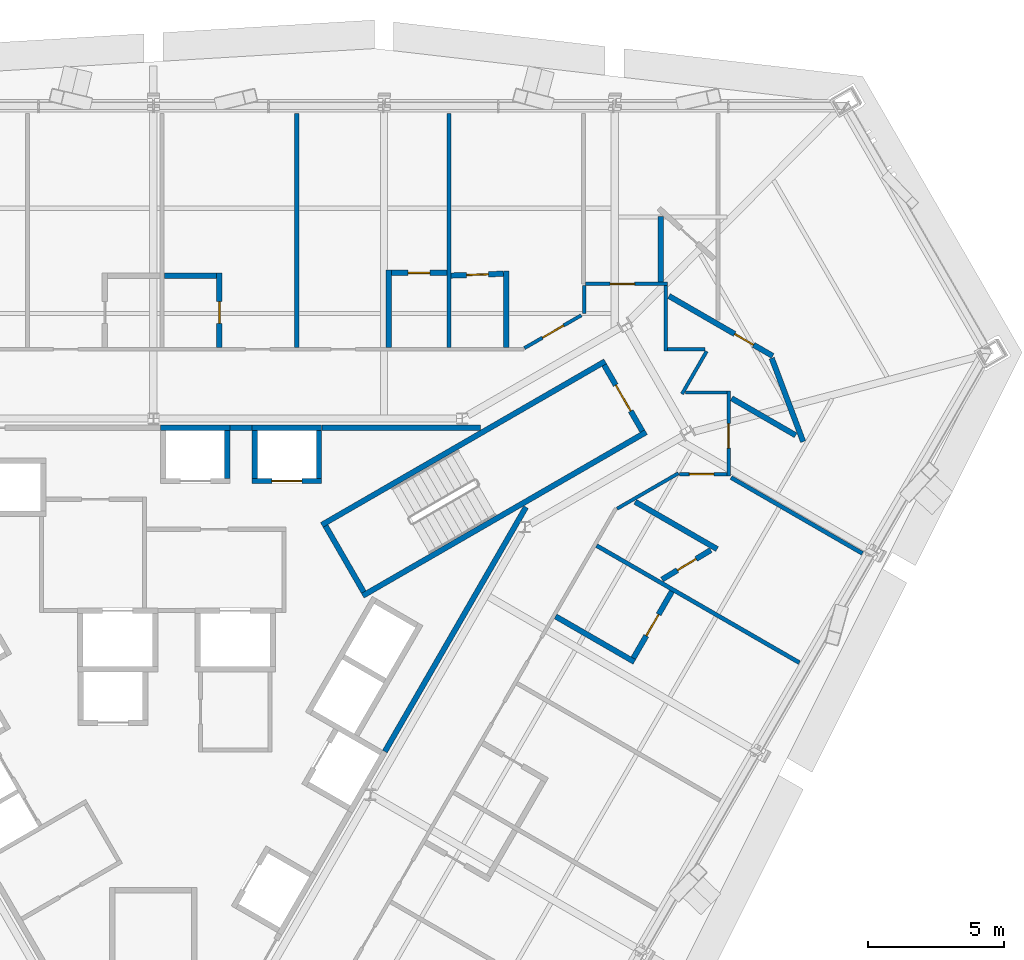
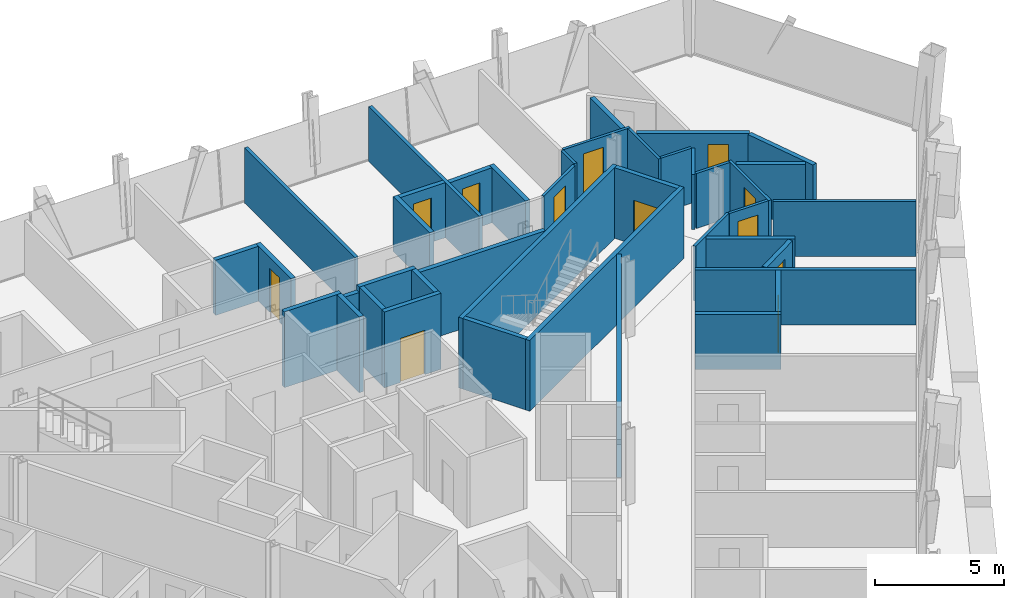
# One storey, part 12 of 15: 41 walls, 12 doors, 12 openings.
"""IFC4 building model written with IfcOpenShell, lengths in metres."""

import ifcopenshell
import ifcopenshell.guid

model = None  # the IFC model being written
_history = None  # IfcOwnerHistory: only IFC2X3 demands one
_inside = {}  # id of a spatial element -> (the spatial element, [elements in it])
_under = {}  # id of a project, library or spatial element -> (it, [spatial elements below it])
_declared = {}  # id of a project -> (the project, [libraries it declares])
_typed = {}  # id of a type object -> (the type object, [elements of that type])
_made_of = {}  # id of a material, layer set ... -> (it, [elements and type objects made of it])


def new_model(schema):
    """Start an empty IFC model of exactly this schema.

    Asked for "IFC4X3", IfcOpenShell would pick the latest addendum, in which some entities
    have other attributes; the version numbers below select the first issue.
    IFC2X3 requires an IfcOwnerHistory on every rooted entity: one is made here for all.
    """
    global model, _history
    if schema == "IFC4X3":
        model = ifcopenshell.file(schema_version=(4, 3, 0, 0))
    else:
        model = ifcopenshell.file(schema=schema)
    _inside.clear()
    _under.clear()
    _declared.clear()
    _typed.clear()
    _made_of.clear()
    _history = None
    if model.schema == "IFC2X3":
        org = make("IfcOrganization", Name="unknown")
        user = make(
            "IfcPersonAndOrganization",
            ThePerson=make("IfcPerson", FamilyName="unknown"),
            TheOrganization=org,
        )
        app = make(
            "IfcApplication",
            ApplicationDeveloper=org,
            Version="unknown",
            ApplicationFullName="unknown",
            ApplicationIdentifier="unknown",
        )
        _history = make(
            "IfcOwnerHistory",
            OwningUser=user,
            OwningApplication=app,
            ChangeAction="ADDED",
            CreationDate=0,
        )
    return model


def make(cls, **values):
    """One entity of the class cls with the attributes given. An attribute that is None is left unset."""
    return model.create_entity(
        cls, **{name: value for name, value in values.items() if value is not None}
    )


def rooted(cls, **values):
    """An entity with a GlobalId (a new one), such as an element, a storey or a relation."""
    return make(cls, GlobalId=ifcopenshell.guid.new(), OwnerHistory=_history, **values)


def si_unit(unit_type, name, prefix=None):
    """IfcSIUnit, for example si_unit("LENGTHUNIT", "METRE", prefix="MILLI")."""
    return make("IfcSIUnit", UnitType=unit_type, Prefix=prefix, Name=name)


def assignment(units):
    """IfcUnitAssignment: the units of a project."""
    return None if units is None else make("IfcUnitAssignment", Units=units)


def point(xyz):
    """IfcCartesianPoint."""
    return None if xyz is None else make("IfcCartesianPoint", Coordinates=xyz)


def direction(xyz):
    """IfcDirection."""
    return None if xyz is None else make("IfcDirection", DirectionRatios=xyz)


def frame(location, z_axis=None, x_axis=None):
    """IfcAxis2Placement3D, a coordinate frame: its origin and axes. An axis left out is left unset."""
    return make(
        "IfcAxis2Placement3D",
        Location=point(location),
        Axis=direction(z_axis),
        RefDirection=direction(x_axis),
    )


def frame_2d(location, x_axis=None):
    """IfcAxis2Placement2D, a coordinate frame in the plane: its origin and x axis."""
    return make(
        "IfcAxis2Placement2D", Location=point(location), RefDirection=direction(x_axis)
    )


def origin():
    """The frame at (0, 0, 0) with its axes left unset."""
    return frame((0.0, 0.0, 0.0))


def place(relative_to, where):
    """IfcLocalPlacement: puts the frame where relative to a parent placement (None: the world)."""
    return make(
        "IfcLocalPlacement", PlacementRelTo=relative_to, RelativePlacement=where
    )


def context(
    kind, dimensions, precision=None, world=None, true_north=None, identifier=None
):
    """IfcGeometricRepresentationContext, for example the 3D "Model" context."""
    return make(
        "IfcGeometricRepresentationContext",
        ContextIdentifier=identifier,
        ContextType=kind,
        CoordinateSpaceDimension=dimensions,
        Precision=precision,
        WorldCoordinateSystem=world,
        TrueNorth=true_north,
    )


def subcontext(parent, identifier, kind, view, scale=None):
    """IfcGeometricRepresentationSubContext, for example "Body" below "Model"."""
    return make(
        "IfcGeometricRepresentationSubContext",
        ContextIdentifier=identifier,
        ContextType=kind,
        ParentContext=parent,
        TargetScale=scale,
        TargetView=view,
    )


def project(units=None, contexts=None):
    """IfcProject with its units and contexts."""
    return rooted(
        "IfcProject",
        Name="project",
        RepresentationContexts=contexts,
        UnitsInContext=assignment(units),
    )


def spatial(cls, under=None, at=None, **own):
    """A site, building, storey or space (cls), placed at a placement, below another one or the project."""
    s = rooted(cls, ObjectPlacement=at, **own)
    if under is not None:
        _under.setdefault(under.id(), (under, []))[1].append(s)
    return s


def profile(cls, at=None, kind="AREA", **sizes):
    """A parametric profile (cls). Its sizes go by their IFC names, for example OverallWidth=200.0."""
    return make(cls, ProfileType=kind, Position=at, **sizes)


def rectangle(**sizes):
    """IfcRectangleProfileDef."""
    return profile("IfcRectangleProfileDef", **sizes)


def extrude(swept, where, along, depth):
    """IfcExtrudedAreaSolid: the profile swept, set in the frame where, extruded along a direction by depth."""
    return make(
        "IfcExtrudedAreaSolid",
        SweptArea=swept,
        Position=where,
        ExtrudedDirection=direction(along),
        Depth=depth,
    )


def shape(context_of_items, identifier, shape_type, items):
    """IfcShapeRepresentation: the items that make up one representation, for example the "Body"."""
    return make(
        "IfcShapeRepresentation",
        ContextOfItems=context_of_items,
        RepresentationIdentifier=identifier,
        RepresentationType=shape_type,
        Items=items,
    )


def material(Name=None, Category=None):
    """IfcMaterial."""
    return make("IfcMaterial", Name=Name, Category=Category)


def layer(
    of_material, thickness, ventilated=None, Name=None, Category=None, Priority=None
):
    """IfcMaterialLayer: one layer of a wall or slab, of a material (None: an air gap)."""
    return make(
        "IfcMaterialLayer",
        Material=of_material,
        LayerThickness=thickness,
        IsVentilated=ventilated,
        Name=Name,
        Category=Category,
        Priority=Priority,
    )


def layer_set(layers, Name=None):
    """IfcMaterialLayerSet."""
    return make("IfcMaterialLayerSet", MaterialLayers=layers, LayerSetName=Name)


def made_of(thing, what):
    """Note that an element or type object is made of a material, layer set ...; save() writes the relation."""
    if what is not None:
        _made_of.setdefault(what.id(), (what, []))[1].append(thing)
    return thing


def type_object(cls, material=None, **own):
    """A type object (cls), such as IfcWallType, which elements share."""
    return made_of(rooted(cls, **own), material)


def element(
    cls,
    number,
    at=None,
    inside=None,
    cuts=None,
    type_object=None,
    material=None,
    context=None,
    identifier="Body",
    shape_type=None,
    held_by="IfcProductDefinitionShape",
    body=None,
    shapes=None,
    **own,
):
    """One element of the class cls, such as IfcWall. Its Tag is "e" and its number.

    at: its placement. inside: the storey or other place that contains it. cuts: it is an
    opening in that element (IfcRelVoidsElement). A single representation is given by context,
    identifier, shape_type and body (its items); several are given by shapes. held_by: the class
    of the entity that holds the representations. save() writes the other relations.
    """
    e = rooted(cls, Tag="e%d" % number, ObjectPlacement=at, **own)
    if body is not None:
        shapes = [shape(context, identifier, shape_type, body)]
    if shapes is not None:
        e.Representation = make(held_by, Representations=shapes)
    if inside is not None:
        _inside.setdefault(inside.id(), (inside, []))[1].append(e)
    if cuts is not None:
        rooted(
            "IfcRelVoidsElement", RelatingBuildingElement=cuts, RelatedOpeningElement=e
        )
    if type_object is not None:
        _typed.setdefault(type_object.id(), (type_object, []))[1].append(e)
    return made_of(e, material)


def fill(opening, filler):
    """IfcRelFillsElement: the door or window that sits in an opening."""
    return rooted(
        "IfcRelFillsElement",
        RelatingOpeningElement=opening,
        RelatedBuildingElement=filler,
    )


def aggregate(whole, parts):
    """IfcRelAggregates: a whole, such as a stair, and the parts it consists of."""
    return rooted("IfcRelAggregates", RelatingObject=whole, RelatedObjects=parts)


def save(model, path):
    """Write the relations noted so far, then the file.

    IfcRelAggregates (storeys below a building ...), IfcRelContainedInSpatialStructure (elements
    in a storey), IfcRelDefinesByType, IfcRelAssociatesMaterial and IfcRelDeclares: one each for
    every whole, place, type object, material and project.
    """
    for whole, parts in _under.values():
        aggregate(whole, parts)
    for where, things in _inside.values():
        rooted(
            "IfcRelContainedInSpatialStructure",
            RelatedElements=things,
            RelatingStructure=where,
        )
    for kind, things in _typed.values():
        rooted("IfcRelDefinesByType", RelatedObjects=things, RelatingType=kind)
    for what, things in _made_of.values():
        rooted("IfcRelAssociatesMaterial", RelatedObjects=things, RelatingMaterial=what)
    for by, libraries in _declared.values():
        rooted("IfcRelDeclares", RelatingContext=by, RelatedDefinitions=libraries)
    model.write(path)


model = new_model("IFC4")

# Units and contexts
model_context = context("Model", 3, precision=1e-05, world=origin(), true_north=direction((0.0, 1.0)))
body_context = subcontext(model_context, "Body", "Model", "MODEL_VIEW")
ifc_project = project(units=[si_unit("LENGTHUNIT", "METRE"), si_unit("AREAUNIT", "SQUARE_METRE"), si_unit("VOLUMEUNIT", "CUBIC_METRE"), si_unit("PLANEANGLEUNIT", "RADIAN"), si_unit("MASSUNIT", "GRAM", prefix="KILO")], contexts=[model_context])

# Site, building, storey
site_placement = place(None, origin())
site = spatial("IfcSite", under=ifc_project, at=site_placement, CompositionType="ELEMENT")
building_placement = place(site_placement, origin())
building = spatial("IfcBuilding", under=site, at=building_placement, Name="Verrane Prism Tower", CompositionType="ELEMENT")
storey_placement = place(building_placement, frame((0.0, 0.0, 44.0)))
storey = spatial("IfcBuildingStorey", under=building, at=storey_placement, Name="L08", CompositionType="ELEMENT", Elevation=44.0)

# Walls
ifc_material_1 = material(Name="Gypsum board partition", Category="other")
ifc_layer_1 = layer(ifc_material_1, 0.199951171875)
ifc_layer_set_1 = layer_set([ifc_layer_1], Name="CW-200 core boundary wall 2 h")
wall_type_1 = type_object("IfcWallType", Name="CW-200 core boundary wall 2 h", PredefinedType="PARTITIONING", material=ifc_layer_set_1)
wall_1_placement = place(storey_placement, frame((2.81689453125, 8.860107421875, 0.0), z_axis=(0.0, 0.0, 1.0), x_axis=(1.0, 0.0, 0.0)))
element("IfcWall", 1, at=wall_1_placement, inside=storey, type_object=wall_type_1, Name="Core boundary wall CW3-011", PredefinedType="PARTITIONING", context=body_context, shape_type="SweptSolid", body=[
    extrude(rectangle(XDim=0.80615234375, YDim=0.199951171875, at=frame_2d((0.403076171875, 0.0))), origin(), (0.0, 0.0, 1.0), 3.35009765625),
])
wall_2_placement = place(storey_placement, frame((6.177001953125, 8.860107421875, 0.0), z_axis=(0.0, 0.0, 1.0), x_axis=(1.0, 0.0, 0.0)))
element("IfcWall", 2, at=wall_2_placement, inside=storey, type_object=wall_type_1, Name="Core boundary wall CW3-013", PredefinedType="PARTITIONING", context=body_context, shape_type="SweptSolid", body=[
    extrude(rectangle(XDim=5.81396484375, YDim=0.199951171875, at=frame_2d((2.906982421875, 0.0))), origin(), (0.0, 0.0, 1.0), 3.35009765625),
])
wall_3_placement = place(storey_placement, frame((8.491943359375, -3.011962890625, 0.0), z_axis=(0.0, 0.0, 1.0), x_axis=(0.499972957231, 0.866041016371, 0.0)))
element("IfcWall", 3, at=wall_3_placement, inside=storey, type_object=wall_type_1, Name="Core boundary wall CW3-014", PredefinedType="PARTITIONING", context=body_context, shape_type="SweptSolid", body=[
    extrude(rectangle(XDim=10.3486328125, YDim=0.199951171875, at=frame_2d((5.17431640625, 0.0))), origin(), (0.0, 0.0, 1.0), 3.35009765625),
])

# Wall, opening, door
ifc_material_2 = material(Name="Concrete C40/50", Category="concrete")
ifc_layer_2 = layer(ifc_material_2, 0.199951171875)
ifc_layer_set_2 = layer_set([ifc_layer_2], Name="CW-200 stair core wall concrete C40/50 3 h")
wall_type_2 = type_object("IfcWallType", Name="CW-200 stair core wall concrete C40/50 3 h", PredefinedType="PARTITIONING", material=ifc_layer_set_2)
wall_4_placement = place(storey_placement, frame((17.933837890625, 8.737548828125, 0.0), z_axis=(0.0, 0.0, 1.0), x_axis=(-0.49998411664, 0.866034573852, 0.0)))
wall_4 = element("IfcWall", 4, at=wall_4_placement, inside=storey, type_object=wall_type_2, Name="Stair 1 enclosure wall", PredefinedType="PARTITIONING", context=body_context, shape_type="SweptSolid", body=[
    extrude(rectangle(XDim=2.7998046875, YDim=0.199951171875, at=frame_2d((1.39990234375, 0.0))), origin(), (0.0, 0.0, 1.0), 3.35009765625),
])
opening_1_placement = place(wall_4_placement, frame((0.849853515625, 0.0, 0.0)))
opening_1 = element("IfcOpeningElement", 5, at=opening_1_placement, cuts=wall_4, Name="Opening D06500", PredefinedType="OPENING", context=body_context, shape_type="SweptSolid", body=[
    extrude(rectangle(XDim=1.10009765625, YDim=2.10009765625, at=frame_2d((0.550048828125, 1.050048828125))), frame((0.0, 0.10986328125, 0.0), z_axis=(0.0, -1.0, 0.0), x_axis=(1.0, 0.0, 0.0)), (0.0, 0.0, 1.0), 0.219970703125),
])
ifc_material_3 = material(Name="Timber veneered door leaf", Category="wood")
door_type_1 = type_object("IfcDoorType", Name="DR-1100x2100 FD90 single leaf stair", OperationType="NOTDEFINED", PredefinedType="DOOR", material=ifc_material_3)
door_1_placement = place(opening_1_placement, origin())
door_1 = element("IfcDoor", 6, at=door_1_placement, inside=storey, type_object=door_type_1, Name="Stair 1 door", OperationType="SINGLE_SWING_LEFT", OverallHeight=2.10009765625, OverallWidth=1.10009765625, PredefinedType="DOOR", context=body_context, shape_type="SweptSolid", body=[
    extrude(rectangle(XDim=1.10009765625, YDim=2.10009765625, at=frame_2d((0.550048828125, 1.050048828125))), frame((0.0, 0.02490234375, 0.0), z_axis=(0.0, -1.0, 0.0), x_axis=(1.0, 0.0, 0.0)), (0.0, 0.0, 1.0), 0.050048828125),
])
fill(opening_1, door_1)

# Walls
for number, where, z_axis, x_axis, name in (
    (7, (6.17822265625, 5.299072265625, 0.0), (0.0, 0.0, 1.0), (0.866026010844, 0.49999894854, 0.0), "Stair 1 enclosure wall"),
    (8, (7.67822265625, 2.700927734375, 0.0), (0.0, 0.0, 1.0), (0.866026010844, 0.49999894854, 0.0), "Stair 1 enclosure wall"),
):
    element("IfcWall", number, at=place(storey_placement, frame(where, z_axis=z_axis, x_axis=x_axis)), inside=storey, type_object=wall_type_2, Name=name, PredefinedType="PARTITIONING", context=body_context, shape_type="SweptSolid", body=[
        extrude(rectangle(XDim=12.0, YDim=0.199951171875, at=frame_2d((6.0, 0.0))), origin(), (0.0, 0.0, 1.0), 3.35009765625),
    ])
wall_5_placement = place(storey_placement, frame((7.71484375, 2.837646484375, 0.0), z_axis=(0.0, 0.0, 1.0), x_axis=(-0.500049511043, 0.865996816683, 0.0)))
element("IfcWall", 9, at=wall_5_placement, inside=storey, type_object=wall_type_2, Name="Stair 1 enclosure wall", PredefinedType="PARTITIONING", context=body_context, shape_type="SweptSolid", body=[
    extrude(rectangle(XDim=2.800048828125, YDim=0.199951171875, at=frame_2d((1.39990234375, 0.0))), origin(), (0.0, 0.0, 1.0), 3.35009765625),
])

# Wall, opening, door
ifc_material_4 = material(Name="Gypsum board shaft wall assembly", Category="other")
ifc_layer_3 = layer(ifc_material_4, 0.199951171875)
ifc_layer_set_3 = layer_set([ifc_layer_3], Name="HW-200 lift shaft wall 2 h")
wall_type_3 = type_object("IfcWallType", Name="HW-200 lift shaft wall 2 h", PredefinedType="PARTITIONING", material=ifc_layer_set_3)
wall_6_placement = place(storey_placement, frame((3.625, 6.909912109375, 0.0), z_axis=(0.0, 0.0, 1.0), x_axis=(1.0, 0.0, 0.0)))
wall_6 = element("IfcWall", 10, at=wall_6_placement, inside=storey, type_object=wall_type_3, Name="Lift shaft wall", PredefinedType="PARTITIONING", context=body_context, shape_type="SweptSolid", body=[
    extrude(rectangle(XDim=2.550048828125, YDim=0.199951171875, at=frame_2d((1.27490234375, 0.0))), origin(), (0.0, 0.0, 1.0), 3.60009765625),
])
opening_2_placement = place(wall_6_placement, frame((0.72509765625, 0.0, 0.0)))
opening_2 = element("IfcOpeningElement", 11, at=opening_2_placement, cuts=wall_6, Name="Opening D06509", PredefinedType="OPENING", context=body_context, shape_type="SweptSolid", body=[
    extrude(rectangle(XDim=1.10009765625, YDim=2.10009765625, at=frame_2d((0.550048828125, 1.050048828125))), frame((0.0, 0.10986328125, 0.0), z_axis=(0.0, -1.0, 0.0), x_axis=(1.0, 0.0, 0.0)), (0.0, 0.0, 1.0), 0.219970703125),
])
ifc_material_5 = material(Name="Stainless steel sliding landing door", Category="steel")
door_type_2 = type_object("IfcDoorType", Name="LD-1100x2100 lift landing door FD90 sliding", OperationType="NOTDEFINED", PredefinedType="DOOR", material=ifc_material_5)
door_2_placement = place(opening_2_placement, origin())
door_2 = element("IfcDoor", 12, at=door_2_placement, inside=storey, type_object=door_type_2, Name="Bank A lift 3 landing door", OperationType="SLIDING_TO_LEFT", OverallHeight=2.10009765625, OverallWidth=1.10009765625, PredefinedType="DOOR", context=body_context, shape_type="SweptSolid", body=[
    extrude(rectangle(XDim=1.10009765625, YDim=2.10009765625, at=frame_2d((0.550048828125, 1.050048828125))), frame((0.0, 0.02490234375, 0.0), z_axis=(0.0, -1.0, 0.0), x_axis=(1.0, 0.0, 0.0)), (0.0, 0.0, 1.0), 0.050048828125),
])
fill(opening_2, door_2)

# Walls
for number, where, z_axis, x_axis, name in (
    (13, (0.264892578125, 8.860107421875, 0.0), (0.0, 0.0, 1.0), (1.0, 0.0, 0.0), "Lift shaft wall"),
    (14, (3.625, 8.860107421875, 0.0), (0.0, 0.0, 1.0), (1.0, 0.0, 0.0), "Lift shaft wall"),
):
    element("IfcWall", number, at=place(storey_placement, frame(where, z_axis=z_axis, x_axis=x_axis)), inside=storey, type_object=wall_type_3, Name=name, PredefinedType="PARTITIONING", context=body_context, shape_type="SweptSolid", body=[
        extrude(rectangle(XDim=2.550048828125, YDim=0.199951171875, at=frame_2d((1.27490234375, 0.0))), origin(), (0.0, 0.0, 1.0), 3.60009765625),
    ])
for number, where, z_axis, x_axis, name in (
    (15, (6.074951171875, 7.010009765625, 0.0), (0.0, 0.0, 1.0), (0.0, 1.0, 0.0), "Lift shaft wall"),
    (16, (3.72509765625, 7.010009765625, 0.0), (0.0, 0.0, 1.0), (0.0, 1.0, 0.0), "Lift shaft wall"),
    (17, (2.715087890625, 7.010009765625, 0.0), (0.0, 0.0, 1.0), (0.0, 1.0, 0.0), "Lift shaft wall"),
):
    element("IfcWall", number, at=place(storey_placement, frame(where, z_axis=z_axis, x_axis=x_axis)), inside=storey, type_object=wall_type_3, Name=name, PredefinedType="PARTITIONING", context=body_context, shape_type="SweptSolid", body=[
        extrude(rectangle(XDim=1.75, YDim=0.199951171875, at=frame_2d((0.875, 0.0))), origin(), (0.0, 0.0, 1.0), 3.60009765625),
    ])

# Wall, opening, door
ifc_material_6 = material(Name="Gypsum board partition", Category="other")
ifc_layer_4 = layer(ifc_material_6, 0.125)
ifc_layer_set_4 = layer_set([ifc_layer_4], Name="PW-125 corridor wall 1 h")
wall_type_4 = type_object("IfcWallType", Name="PW-125 corridor wall 1 h", PredefinedType="PARTITIONING", material=ifc_layer_set_4)
wall_7_placement = place(storey_placement, frame((13.609619140625, 11.783447265625, 0.0), z_axis=(0.0, 0.0, 1.0), x_axis=(0.86608938841, 0.499889158998, 0.0)))
wall_7 = element("IfcWall", 18, at=wall_7_placement, inside=storey, type_object=wall_type_4, Name="Corridor wall 082", PredefinedType="PARTITIONING", context=body_context, shape_type="SweptSolid", body=[
    extrude(rectangle(XDim=2.40869140625, YDim=0.125, at=frame_2d((1.204345703125, 0.0))), origin(), (0.0, 0.0, 1.0), 2.613037109375),
])
opening_3_placement = place(wall_7_placement, frame((0.764892578125, 0.0, 0.0)))
opening_3 = element("IfcOpeningElement", 19, at=opening_3_placement, cuts=wall_7, Name="Opening D06003", PredefinedType="OPENING", context=body_context, shape_type="SweptSolid", body=[
    extrude(rectangle(XDim=0.89990234375, YDim=2.10009765625, at=frame_2d((0.449951171875, 1.050048828125))), frame((0.0, 0.072509765625, 0.0), z_axis=(0.0, -1.0, 0.0), x_axis=(1.0, 0.0, 0.0)), (0.0, 0.0, 1.0), 0.14501953125),
])
ifc_material_7 = material(Name="Timber veneered door leaf", Category="wood")
door_type_3 = type_object("IfcDoorType", Name="DR-900x2100 FD20 single leaf unit", OperationType="NOTDEFINED", PredefinedType="DOOR", material=ifc_material_7)
door_3_placement = place(opening_3_placement, origin())
door_3 = element("IfcDoor", 20, at=door_3_placement, inside=storey, type_object=door_type_3, Name="Guest Room door", OperationType="SINGLE_SWING_LEFT", OverallHeight=2.10009765625, OverallWidth=0.89990234375, PredefinedType="DOOR", context=body_context, shape_type="SweptSolid", body=[
    extrude(rectangle(XDim=0.89990234375, YDim=2.10009765625, at=frame_2d((0.449951171875, 1.050048828125))), frame((0.0, 0.02490234375, 0.0), z_axis=(0.0, -1.0, 0.0), x_axis=(1.0, 0.0, 0.0)), (0.0, 0.0, 1.0), 0.050048828125),
])
fill(opening_3, door_3)

# Wall
wall_8_placement = place(storey_placement, frame((15.802978515625, 13.050048828125, 0.0), z_axis=(0.0, 0.0, 1.0), x_axis=(0.0, 1.0, 0.0)))
element("IfcWall", 21, at=wall_8_placement, inside=storey, type_object=wall_type_4, Name="Corridor wall 085", PredefinedType="PARTITIONING", context=body_context, shape_type="SweptSolid", body=[
    extrude(rectangle(XDim=1.02197265625, YDim=0.125, at=frame_2d((0.510986328125, 0.0))), origin(), (0.0, 0.0, 1.0), 2.613037109375),
])

# Wall, opening, door
wall_9_placement = place(storey_placement, frame((15.85546875, 14.136962890625, 0.0), z_axis=(0.0, 0.0, 1.0), x_axis=(1.0, 0.0, 0.0)))
wall_9 = element("IfcWall", 22, at=wall_9_placement, inside=storey, type_object=wall_type_4, Name="Corridor wall 086", PredefinedType="PARTITIONING", context=body_context, shape_type="SweptSolid", body=[
    extrude(rectangle(XDim=3.004150390625, YDim=0.125, at=frame_2d((1.501953125, 0.0))), origin(), (0.0, 0.0, 1.0), 2.613037109375),
])
opening_4_placement = place(wall_9_placement, frame((0.8974609375, 0.0, 0.0)))
opening_4 = element("IfcOpeningElement", 23, at=opening_4_placement, cuts=wall_9, Name="Opening D06001", PredefinedType="OPENING", context=body_context, shape_type="SweptSolid", body=[
    extrude(rectangle(XDim=0.89990234375, YDim=2.10009765625, at=frame_2d((0.449951171875, 1.050048828125))), frame((0.0, 0.072509765625, 0.0), z_axis=(0.0, -1.0, 0.0), x_axis=(1.0, 0.0, 0.0)), (0.0, 0.0, 1.0), 0.14501953125),
])
door_4_placement = place(opening_4_placement, origin())
door_4 = element("IfcDoor", 24, at=door_4_placement, inside=storey, type_object=door_type_3, Name="Guest Room door", OperationType="SINGLE_SWING_LEFT", OverallHeight=2.10009765625, OverallWidth=0.89990234375, PredefinedType="DOOR", context=body_context, shape_type="SweptSolid", body=[
    extrude(rectangle(XDim=0.89990234375, YDim=2.10009765625, at=frame_2d((0.449951171875, 1.050048828125))), frame((0.0, 0.02490234375, 0.0), z_axis=(0.0, -1.0, 0.0), x_axis=(1.0, 0.0, 0.0)), (0.0, 0.0, 1.0), 0.050048828125),
])
fill(opening_4, door_4)

# Walls
wall_10_placement = place(storey_placement, frame((17.009521484375, 5.89453125, 0.0), z_axis=(0.0, 0.0, 1.0), x_axis=(0.865944638795, 0.50013986298, 0.0)))
element("IfcWall", 25, at=wall_10_placement, inside=storey, type_object=wall_type_4, Name="Corridor wall 088", PredefinedType="PARTITIONING", context=body_context, shape_type="SweptSolid", body=[
    extrude(rectangle(XDim=2.598876953125, YDim=0.125, at=frame_2d((1.29931640625, 0.0))), origin(), (0.0, 0.0, 1.0), 2.613037109375),
])
wall_11_placement = place(storey_placement, frame((18.797119140625, 11.678466796875, 0.0), z_axis=(0.0, 0.0, 1.0), x_axis=(0.0, 1.0, 0.0)))
element("IfcWall", 26, at=wall_11_placement, inside=storey, type_object=wall_type_4, Name="Corridor wall 094", PredefinedType="PARTITIONING", context=body_context, shape_type="SweptSolid", body=[
    extrude(rectangle(XDim=2.3935546875, YDim=0.125, at=frame_2d((1.19677734375, 0.0))), origin(), (0.0, 0.0, 1.0), 2.613037109375),
])
wall_12_placement = place(storey_placement, frame((18.862060546875, 11.740966796875, 0.0), z_axis=(0.0, 0.0, 1.0), x_axis=(1.0, 0.0, 0.0)))
element("IfcWall", 27, at=wall_12_placement, inside=storey, type_object=wall_type_4, Name="Corridor wall 095", PredefinedType="PARTITIONING", context=body_context, shape_type="SweptSolid", body=[
    extrude(rectangle(XDim=1.367919921875, YDim=0.125, at=frame_2d((0.68408203125, 0.0))), origin(), (0.0, 0.0, 1.0), 2.613037109375),
])

# Wall, opening, door
wall_13_placement = place(storey_placement, frame((21.031982421875, 7.1630859375, 0.0), z_axis=(0.0, 0.0, 1.0), x_axis=(-1.0, 0.0, 0.0)))
wall_13 = element("IfcWall", 28, at=wall_13_placement, inside=storey, type_object=wall_type_4, Name="Corridor wall 097", PredefinedType="PARTITIONING", context=body_context, shape_type="SweptSolid", body=[
    extrude(rectangle(XDim=1.740966796875, YDim=0.125, at=frame_2d((0.87060546875, 0.0))), origin(), (0.0, 0.0, 1.0), 2.613037109375),
])
opening_5_placement = place(wall_13_placement, frame((0.47607421875, 0.0, 0.0)))
opening_5 = element("IfcOpeningElement", 29, at=opening_5_placement, cuts=wall_13, Name="Opening D06046", PredefinedType="OPENING", context=body_context, shape_type="SweptSolid", body=[
    extrude(rectangle(XDim=0.89990234375, YDim=2.10009765625, at=frame_2d((0.449951171875, 1.050048828125))), frame((0.0, 0.072509765625, 0.0), z_axis=(0.0, -1.0, 0.0), x_axis=(1.0, 0.0, 0.0)), (0.0, 0.0, 1.0), 0.14501953125),
])
door_5_placement = place(opening_5_placement, origin())
door_5 = element("IfcDoor", 30, at=door_5_placement, inside=storey, type_object=door_type_3, Name="Guest Room door", OperationType="SINGLE_SWING_LEFT", OverallHeight=2.10009765625, OverallWidth=0.89990234375, PredefinedType="DOOR", context=body_context, shape_type="SweptSolid", body=[
    extrude(rectangle(XDim=0.89990234375, YDim=2.10009765625, at=frame_2d((0.449951171875, 1.050048828125))), frame((0.0, 0.02490234375, 0.0), z_axis=(0.0, -1.0, 0.0), x_axis=(1.0, 0.0, 0.0)), (0.0, 0.0, 1.0), 0.050048828125),
])
fill(opening_5, door_5)

# Walls
wall_14_placement = place(storey_placement, frame((19.3896484375, 10.102783203125, 0.0), z_axis=(0.0, 0.0, 1.0), x_axis=(0.500327160669, 0.865836435071, 0.0)))
element("IfcWall", 31, at=wall_14_placement, inside=storey, type_object=wall_type_4, Name="Corridor wall 098", PredefinedType="PARTITIONING", context=body_context, shape_type="SweptSolid", body=[
    extrude(rectangle(XDim=1.805419921875, YDim=0.125, at=frame_2d((0.90283203125, 0.0))), origin(), (0.0, 0.0, 1.0), 2.613037109375),
])
wall_15_placement = place(storey_placement, frame((19.52587890625, 10.156982421875, 0.0), z_axis=(0.0, 0.0, 1.0), x_axis=(1.0, 0.0, 0.0)))
element("IfcWall", 32, at=wall_15_placement, inside=storey, type_object=wall_type_4, Name="Corridor wall 099", PredefinedType="PARTITIONING", context=body_context, shape_type="SweptSolid", body=[
    extrude(rectangle(XDim=1.506103515625, YDim=0.125, at=frame_2d((0.7529296875, 0.0))), origin(), (0.0, 0.0, 1.0), 2.613037109375),
])

# Wall, opening, door
wall_16_placement = place(storey_placement, frame((21.096923828125, 10.219482421875, 0.0), z_axis=(0.0, 0.0, 1.0), x_axis=(0.0, -1.0, 0.0)))
wall_16 = element("IfcWall", 33, at=wall_16_placement, inside=storey, type_object=wall_type_4, Name="Corridor wall 102", PredefinedType="PARTITIONING", context=body_context, shape_type="SweptSolid", body=[
    extrude(rectangle(XDim=3.118896484375, YDim=0.125, at=frame_2d((1.5595703125, 0.0))), origin(), (0.0, 0.0, 1.0), 2.613037109375),
])
opening_6_placement = place(wall_16_placement, frame((1.20654296875, 0.0, 0.0)))
opening_6 = element("IfcOpeningElement", 34, at=opening_6_placement, cuts=wall_16, Name="Opening D06048", PredefinedType="OPENING", context=body_context, shape_type="SweptSolid", body=[
    extrude(rectangle(XDim=0.89990234375, YDim=2.10009765625, at=frame_2d((0.449951171875, 1.050048828125))), frame((0.0, 0.072509765625, 0.0), z_axis=(0.0, -1.0, 0.0), x_axis=(1.0, 0.0, 0.0)), (0.0, 0.0, 1.0), 0.14501953125),
])
door_6_placement = place(opening_6_placement, origin())
door_6 = element("IfcDoor", 35, at=door_6_placement, inside=storey, type_object=door_type_3, Name="Corner Suite door", OperationType="SINGLE_SWING_LEFT", OverallHeight=2.10009765625, OverallWidth=0.89990234375, PredefinedType="DOOR", context=body_context, shape_type="SweptSolid", body=[
    extrude(rectangle(XDim=0.89990234375, YDim=2.10009765625, at=frame_2d((0.449951171875, 1.050048828125))), frame((0.0, 0.02490234375, 0.0), z_axis=(0.0, -1.0, 0.0), x_axis=(1.0, 0.0, 0.0)), (0.0, 0.0, 1.0), 0.050048828125),
])
fill(opening_6, door_6)

# Walls
ifc_material_8 = material(Name="Gypsum board partition", Category="other")
ifc_layer_5 = layer(ifc_material_8, 0.14990234375)
ifc_layer_set_5 = layer_set([ifc_layer_5], Name="PW-150 demising wall 1 h")
wall_type_5 = type_object("IfcWallType", Name="PW-150 demising wall 1 h", PredefinedType="PARTITIONING", material=ifc_layer_set_5)
for number, where, z_axis, x_axis, name in (
    (36, (5.259033203125, 11.803466796875, 0.0), (0.0, 0.0, 1.0), (0.0, 1.0, 0.0), "Demising wall 064"),
    (37, (10.840087890625, 11.803466796875, 0.0), (0.0, 0.0, 1.0), (0.0, 1.0, 0.0), "Demising wall 074"),
):
    element("IfcWall", number, at=place(storey_placement, frame(where, z_axis=z_axis, x_axis=x_axis)), inside=storey, type_object=wall_type_5, Name=name, PredefinedType="PARTITIONING", context=body_context, shape_type="SweptSolid", body=[
        extrude(rectangle(XDim=8.591552734375, YDim=0.14990234375, at=frame_2d((4.2958984375, 0.0))), origin(), (0.0, 0.0, 1.0), 2.613037109375),
    ])
wall_17_placement = place(storey_placement, frame((16.25634765625, 4.540283203125, 0.0), z_axis=(0.0, 0.0, 1.0), x_axis=(0.866031705461, -0.499989085017, 0.0)))
element("IfcWall", 38, at=wall_17_placement, inside=storey, type_object=wall_type_5, Name="Demising wall 087", PredefinedType="PARTITIONING", context=body_context, shape_type="SweptSolid", body=[
    extrude(rectangle(XDim=8.586669921875, YDim=0.14990234375, at=frame_2d((4.29345703125, 0.0))), origin(), (0.0, 0.0, 1.0), 2.613037109375),
])
wall_18_placement = place(storey_placement, frame((21.188720703125, 7.03564453125, 0.0), z_axis=(0.0, 0.0, 1.0), x_axis=(0.865981654797, -0.500075767815, 0.0)))
element("IfcWall", 39, at=wall_18_placement, inside=storey, type_object=wall_type_5, Name="Demising wall 101", PredefinedType="PARTITIONING", context=body_context, shape_type="SweptSolid", body=[
    extrude(rectangle(XDim=5.562744140625, YDim=0.14990234375, at=frame_2d((2.78125, 0.0))), origin(), (0.0, 0.0, 1.0), 2.613037109375),
])
ifc_material_9 = material(Name="Gypsum board partition", Category="other")
ifc_layer_6 = layer(ifc_material_9, 0.199951171875)
ifc_layer_set_6 = layer_set([ifc_layer_6], Name="PW-200 plumbing wall")
wall_type_6 = type_object("IfcWallType", Name="PW-200 plumbing wall", PredefinedType="PARTITIONING", material=ifc_layer_set_6)
wall_19_placement = place(storey_placement, frame((0.402099609375, 14.44091796875, 0.0), z_axis=(0.0, 0.0, 1.0), x_axis=(1.0, 0.0, 0.0)))
element("IfcWall", 40, at=wall_19_placement, inside=storey, type_object=wall_type_6, Name="Plumbing wall 055", PredefinedType="PARTITIONING", context=body_context, shape_type="SweptSolid", body=[
    extrude(rectangle(XDim=1.919921875, YDim=0.199951171875, at=frame_2d((0.9599609375, 0.0))), origin(), (0.0, 0.0, 1.0), 2.613037109375),
])

# Wall, opening, door
wall_20_placement = place(storey_placement, frame((2.422119140625, 11.803466796875, 0.0), z_axis=(0.0, 0.0, 1.0), x_axis=(0.0, 1.0, 0.0)))
wall_20 = element("IfcWall", 41, at=wall_20_placement, inside=storey, type_object=wall_type_6, Name="Plumbing wall 057", PredefinedType="PARTITIONING", context=body_context, shape_type="SweptSolid", body=[
    extrude(rectangle(XDim=2.737548828125, YDim=0.199951171875, at=frame_2d((1.36865234375, 0.0))), origin(), (0.0, 0.0, 1.0), 2.613037109375),
])
opening_7_placement = place(wall_20_placement, frame((0.887451171875, 0.0, 0.0)))
opening_7 = element("IfcOpeningElement", 42, at=opening_7_placement, cuts=wall_20, Name="Opening D06008", PredefinedType="OPENING", context=body_context, shape_type="SweptSolid", body=[
    extrude(rectangle(XDim=0.800048828125, YDim=2.10009765625, at=frame_2d((0.39990234375, 1.050048828125))), frame((0.0, 0.10986328125, 0.0), z_axis=(0.0, -1.0, 0.0), x_axis=(1.0, 0.0, 0.0)), (0.0, 0.0, 1.0), 0.219970703125),
])
ifc_material_10 = material(Name="Timber veneered door leaf", Category="wood")
door_type_4 = type_object("IfcDoorType", Name="DR-800x2100 single leaf bath", OperationType="NOTDEFINED", PredefinedType="DOOR", material=ifc_material_10)
door_7_placement = place(opening_7_placement, origin())
door_7 = element("IfcDoor", 43, at=door_7_placement, inside=storey, type_object=door_type_4, Name="En-Suite door", OperationType="SINGLE_SWING_RIGHT", OverallHeight=2.10009765625, OverallWidth=0.800048828125, PredefinedType="DOOR", context=body_context, shape_type="SweptSolid", body=[
    extrude(rectangle(XDim=0.800048828125, YDim=2.10009765625, at=frame_2d((0.39990234375, 1.050048828125))), frame((0.0, 0.02490234375, 0.0), z_axis=(0.0, -1.0, 0.0), x_axis=(1.0, 0.0, 0.0)), (0.0, 0.0, 1.0), 0.050048828125),
])
fill(opening_7, door_7)

# Wall
wall_21_placement = place(storey_placement, frame((8.639892578125, 11.803466796875, 0.0), z_axis=(0.0, 0.0, 1.0), x_axis=(0.0, 1.0, 0.0)))
element("IfcWall", 44, at=wall_21_placement, inside=storey, type_object=wall_type_6, Name="Plumbing wall 070", PredefinedType="PARTITIONING", context=body_context, shape_type="SweptSolid", body=[
    extrude(rectangle(XDim=2.837646484375, YDim=0.199951171875, at=frame_2d((1.4189453125, 0.0))), origin(), (0.0, 0.0, 1.0), 2.613037109375),
])

# Wall, opening, door
wall_22_placement = place(storey_placement, frame((10.764892578125, 14.541015625, 0.0), z_axis=(0.0, 0.0, 1.0), x_axis=(-1.0, 0.0, 0.0)))
wall_22 = element("IfcWall", 45, at=wall_22_placement, inside=storey, type_object=wall_type_6, Name="Plumbing wall 071", PredefinedType="PARTITIONING", context=body_context, shape_type="SweptSolid", body=[
    extrude(rectangle(XDim=2.02490234375, YDim=0.199951171875, at=frame_2d((1.012451171875, 0.0))), origin(), (0.0, 0.0, 1.0), 2.613037109375),
])
opening_8_placement = place(wall_22_placement, frame((0.625, 0.0, 0.0)))
opening_8 = element("IfcOpeningElement", 46, at=opening_8_placement, cuts=wall_22, Name="Opening D06006", PredefinedType="OPENING", context=body_context, shape_type="SweptSolid", body=[
    extrude(rectangle(XDim=0.800048828125, YDim=2.10009765625, at=frame_2d((0.39990234375, 1.050048828125))), frame((0.0, 0.10986328125, 0.0), z_axis=(0.0, -1.0, 0.0), x_axis=(1.0, 0.0, 0.0)), (0.0, 0.0, 1.0), 0.219970703125),
])
door_8_placement = place(opening_8_placement, origin())
door_8 = element("IfcDoor", 47, at=door_8_placement, inside=storey, type_object=door_type_4, Name="En-Suite door", OperationType="SINGLE_SWING_LEFT", OverallHeight=2.10009765625, OverallWidth=0.800048828125, PredefinedType="DOOR", context=body_context, shape_type="SweptSolid", body=[
    extrude(rectangle(XDim=0.800048828125, YDim=2.10009765625, at=frame_2d((0.39990234375, 1.050048828125))), frame((0.0, 0.02490234375, 0.0), z_axis=(0.0, -1.0, 0.0), x_axis=(1.0, 0.0, 0.0)), (0.0, 0.0, 1.0), 0.050048828125),
])
fill(opening_8, door_8)

wall_23_placement = place(storey_placement, frame((12.8349609375, 14.51123046875, 0.0), z_axis=(0.0, 0.0, 1.0), x_axis=(-0.999382486529, -0.035137524367, 0.0)))
wall_23 = element("IfcWall", 48, at=wall_23_placement, inside=storey, type_object=wall_type_6, Name="Plumbing wall 075", PredefinedType="PARTITIONING", context=body_context, shape_type="SweptSolid", body=[
    extrude(rectangle(XDim=1.917724609375, YDim=0.199951171875, at=frame_2d((0.958984375, 0.0))), origin(), (0.0, 0.0, 1.0), 2.613037109375),
])
opening_9_placement = place(wall_23_placement, frame((0.54638671875, 0.0, 0.0)))
opening_9 = element("IfcOpeningElement", 49, at=opening_9_placement, cuts=wall_23, Name="Opening D06004", PredefinedType="OPENING", context=body_context, shape_type="SweptSolid", body=[
    extrude(rectangle(XDim=0.800048828125, YDim=2.10009765625, at=frame_2d((0.39990234375, 1.050048828125))), frame((0.0, 0.10986328125, 0.0), z_axis=(0.0, -1.0, 0.0), x_axis=(1.0, 0.0, 0.0)), (0.0, 0.0, 1.0), 0.219970703125),
])
door_9_placement = place(opening_9_placement, origin())
door_9 = element("IfcDoor", 50, at=door_9_placement, inside=storey, type_object=door_type_4, Name="En-Suite door", OperationType="SINGLE_SWING_LEFT", OverallHeight=2.10009765625, OverallWidth=0.800048828125, PredefinedType="DOOR", context=body_context, shape_type="SweptSolid", body=[
    extrude(rectangle(XDim=0.800048828125, YDim=2.10009765625, at=frame_2d((0.39990234375, 1.050048828125))), frame((0.0, 0.02490234375, 0.0), z_axis=(0.0, -1.0, 0.0), x_axis=(1.0, 0.0, 0.0)), (0.0, 0.0, 1.0), 0.050048828125),
])
fill(opening_9, door_9)

# Walls
wall_24_placement = place(storey_placement, frame((12.93994140625, 11.803466796875, 0.0), z_axis=(0.0, 0.0, 1.0), x_axis=(0.0, 1.0, 0.0)))
element("IfcWall", 51, at=wall_24_placement, inside=storey, type_object=wall_type_6, Name="Plumbing wall 079", PredefinedType="PARTITIONING", context=body_context, shape_type="SweptSolid", body=[
    extrude(rectangle(XDim=2.8115234375, YDim=0.199951171875, at=frame_2d((1.40576171875, 0.0))), origin(), (0.0, 0.0, 1.0), 2.613037109375),
])
wall_25_placement = place(storey_placement, frame((14.752197265625, 1.94482421875, 0.0), z_axis=(0.0, 0.0, 1.0), x_axis=(0.866033317326, -0.499986293093, 0.0)))
element("IfcWall", 52, at=wall_25_placement, inside=storey, type_object=wall_type_6, Name="Plumbing wall 083", PredefinedType="PARTITIONING", context=body_context, shape_type="SweptSolid", body=[
    extrude(rectangle(XDim=3.33740234375, YDim=0.199951171875, at=frame_2d((1.668701171875, 0.0))), origin(), (0.0, 0.0, 1.0), 2.613037109375),
])

# Wall, opening, door
wall_26_placement = place(storey_placement, frame((17.60595703125, 0.41259765625, 0.0), z_axis=(0.0, 0.0, 1.0), x_axis=(0.500024172624, 0.866011447264, 0.0)))
wall_26 = element("IfcWall", 53, at=wall_26_placement, inside=storey, type_object=wall_type_6, Name="Plumbing wall 089", PredefinedType="PARTITIONING", context=body_context, shape_type="SweptSolid", body=[
    extrude(rectangle(XDim=2.824951171875, YDim=0.199951171875, at=frame_2d((1.41259765625, 0.0))), origin(), (0.0, 0.0, 1.0), 2.613037109375),
])
opening_10_placement = place(wall_26_placement, frame((0.949951171875, 0.0, 0.0)))
opening_10 = element("IfcOpeningElement", 54, at=opening_10_placement, cuts=wall_26, Name="Opening D06045", PredefinedType="OPENING", context=body_context, shape_type="SweptSolid", body=[
    extrude(rectangle(XDim=0.89990234375, YDim=2.10009765625, at=frame_2d((0.449951171875, 1.050048828125))), frame((0.0, 0.10986328125, 0.0), z_axis=(0.0, -1.0, 0.0), x_axis=(1.0, 0.0, 0.0)), (0.0, 0.0, 1.0), 0.219970703125),
])
ifc_material_11 = material(Name="Timber veneered door leaf", Category="wood")
door_type_5 = type_object("IfcDoorType", Name="DR-900x2100 single leaf bath", OperationType="NOTDEFINED", PredefinedType="DOOR", material=ifc_material_11)
door_10_placement = place(opening_10_placement, origin())
door_10 = element("IfcDoor", 55, at=door_10_placement, inside=storey, type_object=door_type_5, Name="En-Suite door", OperationType="SINGLE_SWING_LEFT", OverallHeight=2.10009765625, OverallWidth=0.89990234375, PredefinedType="DOOR", context=body_context, shape_type="SweptSolid", body=[
    extrude(rectangle(XDim=0.89990234375, YDim=2.10009765625, at=frame_2d((0.449951171875, 1.050048828125))), frame((0.0, 0.02490234375, 0.0), z_axis=(0.0, -1.0, 0.0), x_axis=(1.0, 0.0, 0.0)), (0.0, 0.0, 1.0), 0.050048828125),
])
fill(opening_10, door_10)

# Wall
wall_27_placement = place(storey_placement, frame((17.672607421875, 6.14697265625, 0.0), z_axis=(0.0, 0.0, 1.0), x_axis=(0.866077754448, -0.499909315027, 0.0)))
element("IfcWall", 56, at=wall_27_placement, inside=storey, type_object=wall_type_6, Name="Plumbing wall 090", PredefinedType="PARTITIONING", context=body_context, shape_type="SweptSolid", body=[
    extrude(rectangle(XDim=3.468505859375, YDim=0.199951171875, at=frame_2d((1.734375, 0.0))), origin(), (0.0, 0.0, 1.0), 2.613037109375),
])

# Wall, opening, door
wall_28_placement = place(storey_placement, frame((18.65673828125, 3.296875, 0.0), z_axis=(0.0, 0.0, 1.0), x_axis=(0.856262573572, 0.51654080681, 0.0)))
wall_28 = element("IfcWall", 57, at=wall_28_placement, inside=storey, type_object=wall_type_6, Name="Plumbing wall 091", PredefinedType="PARTITIONING", context=body_context, shape_type="SweptSolid", body=[
    extrude(rectangle(XDim=2.087646484375, YDim=0.199951171875, at=frame_2d((1.0439453125, 0.0))), origin(), (0.0, 0.0, 1.0), 2.613037109375),
])
opening_11_placement = place(wall_28_placement, frame((0.6591796875, 0.0, 0.0)))
opening_11 = element("IfcOpeningElement", 58, at=opening_11_placement, cuts=wall_28, Name="Opening D06047", PredefinedType="OPENING", context=body_context, shape_type="SweptSolid", body=[
    extrude(rectangle(XDim=0.800048828125, YDim=2.10009765625, at=frame_2d((0.39990234375, 1.050048828125))), frame((0.0, 0.10986328125, 0.0), z_axis=(0.0, -1.0, 0.0), x_axis=(1.0, 0.0, 0.0)), (0.0, 0.0, 1.0), 0.219970703125),
])
door_11_placement = place(opening_11_placement, origin())
door_11 = element("IfcDoor", 59, at=door_11_placement, inside=storey, type_object=door_type_4, Name="En-Suite door", OperationType="SINGLE_SWING_LEFT", OverallHeight=2.10009765625, OverallWidth=0.800048828125, PredefinedType="DOOR", context=body_context, shape_type="SweptSolid", body=[
    extrude(rectangle(XDim=0.800048828125, YDim=2.10009765625, at=frame_2d((0.39990234375, 1.050048828125))), frame((0.0, 0.02490234375, 0.0), z_axis=(0.0, -1.0, 0.0), x_axis=(1.0, 0.0, 0.0)), (0.0, 0.0, 1.0), 0.050048828125),
])
fill(opening_11, door_11)

# Wall
wall_29_placement = place(storey_placement, frame((18.614990234375, 14.199462890625, 0.0), z_axis=(0.0, 0.0, 1.0), x_axis=(0.0, 1.0, 0.0)))
element("IfcWall", 60, at=wall_29_placement, inside=storey, type_object=wall_type_6, Name="Plumbing wall 092", PredefinedType="PARTITIONING", context=body_context, shape_type="SweptSolid", body=[
    extrude(rectangle(XDim=2.41259765625, YDim=0.199951171875, at=frame_2d((1.206298828125, 0.0))), origin(), (0.0, 0.0, 1.0), 2.613037109375),
])

# Wall, opening, door
wall_30_placement = place(storey_placement, frame((22.717529296875, 11.49609375, 0.0), z_axis=(0.0, 0.0, 1.0), x_axis=(-0.866085733908, 0.499895490599, 0.0)))
wall_30 = element("IfcWall", 61, at=wall_30_placement, inside=storey, type_object=wall_type_6, Name="Plumbing wall 096", PredefinedType="PARTITIONING", context=body_context, shape_type="SweptSolid", body=[
    extrude(rectangle(XDim=4.39697265625, YDim=0.199951171875, at=frame_2d((2.198486328125, 0.0))), origin(), (0.0, 0.0, 1.0), 2.613037109375),
])
opening_12_placement = place(wall_30_placement, frame((0.811767578125, 0.0, 0.0)))
opening_12 = element("IfcOpeningElement", 62, at=opening_12_placement, cuts=wall_30, Name="Opening D06049", PredefinedType="OPENING", context=body_context, shape_type="SweptSolid", body=[
    extrude(rectangle(XDim=0.800048828125, YDim=2.10009765625, at=frame_2d((0.39990234375, 1.050048828125))), frame((0.0, 0.10986328125, 0.0), z_axis=(0.0, -1.0, 0.0), x_axis=(1.0, 0.0, 0.0)), (0.0, 0.0, 1.0), 0.219970703125),
])
door_12_placement = place(opening_12_placement, origin())
door_12 = element("IfcDoor", 63, at=door_12_placement, inside=storey, type_object=door_type_4, Name="En-Suite door", OperationType="SINGLE_SWING_RIGHT", OverallHeight=2.10009765625, OverallWidth=0.800048828125, PredefinedType="DOOR", context=body_context, shape_type="SweptSolid", body=[
    extrude(rectangle(XDim=0.800048828125, YDim=2.10009765625, at=frame_2d((0.39990234375, 1.050048828125))), frame((0.0, 0.02490234375, 0.0), z_axis=(0.0, -1.0, 0.0), x_axis=(1.0, 0.0, 0.0)), (0.0, 0.0, 1.0), 0.050048828125),
])
fill(opening_12, door_12)

# Walls
wall_31_placement = place(storey_placement, frame((21.20947265625, 9.942138671875, 0.0), z_axis=(0.0, 0.0, 1.0), x_axis=(0.865980262336, -0.500078179133, 0.0)))
element("IfcWall", 64, at=wall_31_placement, inside=storey, type_object=wall_type_6, Name="Plumbing wall 103", PredefinedType="PARTITIONING", context=body_context, shape_type="SweptSolid", body=[
    extrude(rectangle(XDim=2.712890625, YDim=0.199951171875, at=frame_2d((1.3564453125, 0.0))), origin(), (0.0, 0.0, 1.0), 2.613037109375),
])
wall_32_placement = place(storey_placement, frame((22.680419921875, 11.4150390625, 0.0), z_axis=(0.0, 0.0, 1.0), x_axis=(0.352235902959, -0.935911250422, 0.0)))
element("IfcWall", 65, at=wall_32_placement, inside=storey, type_object=wall_type_6, Name="Plumbing wall 104", PredefinedType="PARTITIONING", context=body_context, shape_type="SweptSolid", body=[
    extrude(rectangle(XDim=3.27001953125, YDim=0.199951171875, at=frame_2d((1.635009765625, 0.0))), origin(), (0.0, 0.0, 1.0), 2.613037109375),
])

save(model, "model.ifc")
